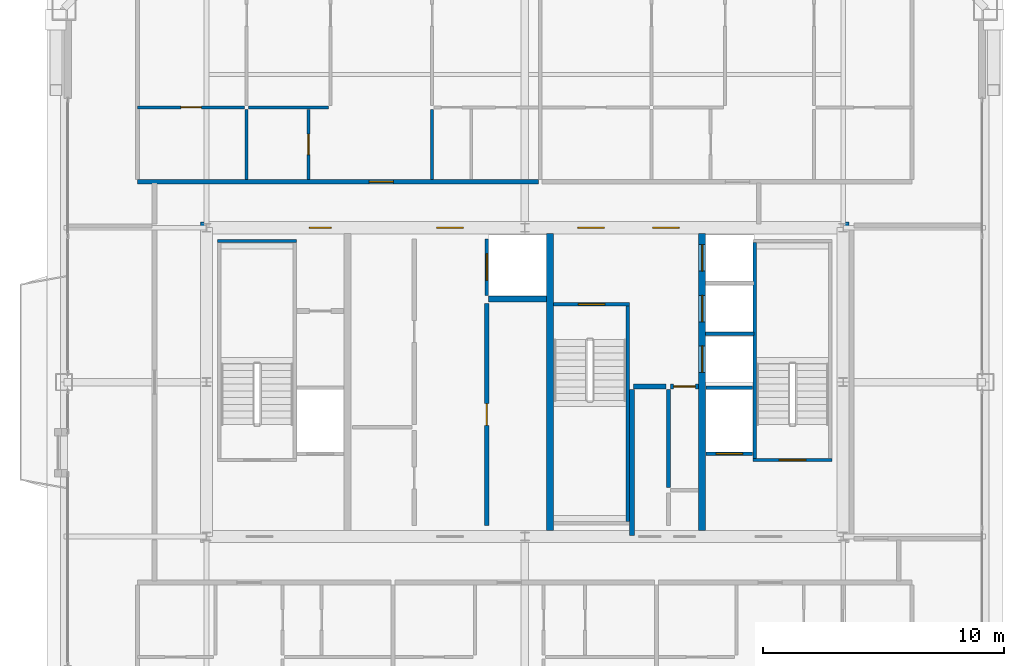
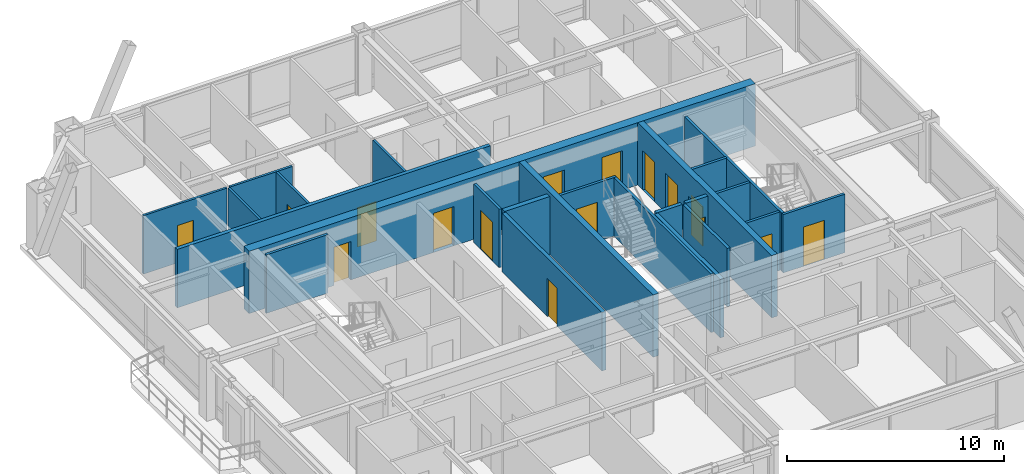
# One storey, part 30 of 33: 24 walls, 16 doors, 16 openings.
"""IFC4 building model written with IfcOpenShell, lengths in metres."""

from ifc_helpers import new_model, si_unit, direction, frame, frame_2d, origin, place, context, subcontext, project, spatial, rectangle, extrude, source, transform, mapped, material, layer, layer_set, type_object, element, fill, save


model = new_model("IFC4")

# Units and contexts
model_context = context("Model", 3, precision=1e-05, world=origin(), true_north=direction((0.0, 1.0)))
body_context = subcontext(model_context, "Body", "Model", "MODEL_VIEW")
ifc_project = project(units=[si_unit("LENGTHUNIT", "METRE"), si_unit("AREAUNIT", "SQUARE_METRE"), si_unit("VOLUMEUNIT", "CUBIC_METRE"), si_unit("PLANEANGLEUNIT", "RADIAN"), si_unit("MASSUNIT", "GRAM", prefix="KILO"), si_unit("THERMODYNAMICTEMPERATUREUNIT", "KELVIN"), si_unit("POWERUNIT", "WATT")], contexts=[model_context])

# Site, building, storey
site_placement = place(None, origin())
site = spatial("IfcSite", under=ifc_project, at=site_placement, CompositionType="ELEMENT")
building_placement = place(site_placement, origin())
building = spatial("IfcBuilding", under=site, at=building_placement, Name="Yuzanri Waterfront Tower", CompositionType="ELEMENT")
storey_placement = place(building_placement, frame((0.0, 0.0, 292.60009765625)))
storey = spatial("IfcBuildingStorey", under=building, at=storey_placement, Name="L78", CompositionType="ELEMENT", Elevation=292.60009765625)

# Wall, opening, door
ifc_material_1 = material(Name="Moisture-Resistant Gypsum Stud Wall", Category="gypsum")
ifc_layer_1 = layer(ifc_material_1, 0.1201171875)
ifc_layer_set_1 = layer_set([ifc_layer_1], Name="Moisture-Resistant Gypsum Stud Wall")
wall_type_1 = type_object("IfcWallType", Name="Bathroom and Kitchen Wet Partition 120", PredefinedType="PARTITIONING", material=ifc_layer_set_1)
wall_1_placement = place(storey_placement, frame((20.93994140625, 37.18994140625, 0.0), z_axis=(0.0, 0.0, 1.0), x_axis=(1.0, 0.0, 0.0)))
wall_1 = element("IfcWall", 1, at=wall_1_placement, inside=storey, type_object=wall_type_1, Name="L78 Partition UW-L78-HN1-SUB-1-N", PredefinedType="PARTITIONING", context=body_context, shape_type="SweptSolid", body=[
    extrude(rectangle(XDim=4.449951171875, YDim=0.1201171875, at=frame_2d((2.22509765625, 0.0))), origin(), (0.0, 0.0, 1.0), 3.27978515625),
])
opening_1_placement = place(wall_1_placement, frame((1.800048828125, 0.0, 0.0)))
opening_1 = element("IfcOpeningElement", 2, at=opening_1_placement, cuts=wall_1, Name="Opening ID-0850", PredefinedType="OPENING", context=body_context, shape_type="SweptSolid", body=[
    extrude(rectangle(XDim=0.85009765625, YDim=2.10009765625, at=frame_2d((0.425048828125, 1.050048828125))), frame((0.0, 0.074951171875, 0.0), z_axis=(0.0, -1.0, 0.0), x_axis=(1.0, 0.0, 0.0)), (0.0, 0.0, 1.0), 0.14990234375),
])
ifc_material_2 = material(Name="Moisture-Resistant Lacquered Timber", Category="wood")
door_type_1 = type_object("IfcDoorType", Name="En-Suite Bathroom and Kitchen Swing Door 850x2100", OperationType="NOTDEFINED", PredefinedType="DOOR", material=ifc_material_2)
shared_shape_1 = source(origin(), body_context, "Body", "SweptSolid", [
    extrude(rectangle(XDim=0.85009765625, YDim=2.10009765625, at=frame_2d((0.425048828125, 1.050048828125))), frame((0.0, 0.02490234375, 0.0), z_axis=(0.0, -1.0, 0.0), x_axis=(1.0, 0.0, 0.0)), (0.0, 0.0, 1.0), 0.050048828125),
])
door_1_placement = place(opening_1_placement, origin())
door_1 = element("IfcDoor", 3, at=door_1_placement, inside=storey, type_object=door_type_1, Name="L78 Suite Interior Room Door", OperationType="SINGLE_SWING_RIGHT", OverallHeight=2.10009765625, OverallWidth=0.85009765625, PredefinedType="DOOR", context=body_context, shape_type="MappedRepresentation", body=[
    mapped(shared_shape_1, transform((0.0, 0.0, 0.0), scale=1.0)),
])
fill(opening_1, door_1)

wall_2_placement = place(storey_placement, frame((28.030029296875, 34.2099609375, 0.0), z_axis=(0.0, 0.0, 1.0), x_axis=(0.0, 1.0, 0.0)))
wall_2 = element("IfcWall", 4, at=wall_2_placement, inside=storey, type_object=wall_type_1, Name="L78 Partition UW-L78-HN1-SUB-2-E", PredefinedType="PARTITIONING", context=body_context, shape_type="SweptSolid", body=[
    extrude(rectangle(XDim=2.900146484375, YDim=0.1201171875, at=frame_2d((1.4501953125, 0.0))), origin(), (0.0, 0.0, 1.0), 3.27978515625),
])
opening_2_placement = place(wall_2_placement, frame((1.02490234375, 0.0, 0.0)))
opening_2 = element("IfcOpeningElement", 5, at=opening_2_placement, cuts=wall_2, Name="Opening ID-0850", PredefinedType="OPENING", context=body_context, shape_type="SweptSolid", body=[
    extrude(rectangle(XDim=0.85009765625, YDim=2.10009765625, at=frame_2d((0.425048828125, 1.050048828125))), frame((0.0, 0.074951171875, 0.0), z_axis=(0.0, -1.0, 0.0), x_axis=(1.0, 0.0, 0.0)), (0.0, 0.0, 1.0), 0.14990234375),
])
door_2_placement = place(opening_2_placement, origin())
door_2 = element("IfcDoor", 6, at=door_2_placement, inside=storey, type_object=door_type_1, Name="L78 Suite Interior Room Door", OperationType="SINGLE_SWING_LEFT", OverallHeight=2.10009765625, OverallWidth=0.85009765625, PredefinedType="DOOR", context=body_context, shape_type="MappedRepresentation", body=[
    mapped(shared_shape_1, transform((0.0, 0.0, 0.0), scale=1.0)),
])
fill(opening_2, door_2)

# Wall, openings, doors
ifc_material_3 = material(Name="Concrete C45", Category="concrete")
ifc_layer_2 = layer(ifc_material_3, 0.47998046875)
ifc_layer_set_2 = layer_set([ifc_layer_2], Name="Concrete C45")
wall_type_2 = type_object("IfcWallType", Name="Concrete C45 High-Rise Core Shear Wall 480", PredefinedType="SHEAR", material=ifc_layer_set_2)
wall_3_placement = place(storey_placement, frame((23.56005859375, 32.199951171875, 0.0), z_axis=(0.0, 0.0, 1.0), x_axis=(1.0, 0.0, 0.0)))
wall_3 = element("IfcWall", 7, at=wall_3_placement, inside=storey, type_object=wall_type_2, Name="L78 Core North Shear Wall", PredefinedType="SHEAR", context=body_context, shape_type="SweptSolid", body=[
    extrude(rectangle(XDim=26.8798828125, YDim=0.47998046875, at=frame_2d((13.43994140625, 0.0))), origin(), (0.0, 0.0, 1.0), 3.5),
])
opening_3_placement = place(wall_3_placement, frame((4.510009765625, 0.0, 0.0)))
opening_3 = element("IfcOpeningElement", 8, at=opening_3_placement, cuts=wall_3, Name="Opening FD-0900", PredefinedType="OPENING", context=body_context, shape_type="SweptSolid", body=[
    extrude(rectangle(XDim=0.89990234375, YDim=2.14990234375, at=frame_2d((0.449951171875, 1.074951171875))), frame((0.0, 0.2548828125, 0.0), z_axis=(0.0, -1.0, 0.0), x_axis=(1.0, 0.0, 0.0)), (0.0, 0.0, 1.0), 0.509765625),
])
opening_4_placement = place(wall_3_placement, frame((9.7900390625, 0.0, 0.0)))
opening_4 = element("IfcOpeningElement", 9, at=opening_4_placement, cuts=wall_3, Name="Opening FD-1100", PredefinedType="OPENING", context=body_context, shape_type="SweptSolid", body=[
    extrude(rectangle(XDim=1.10009765625, YDim=2.199951171875, at=frame_2d((0.550048828125, 1.10009765625))), frame((0.0, 0.2548828125, 0.0), z_axis=(0.0, -1.0, 0.0), x_axis=(1.0, 0.0, 0.0)), (0.0, 0.0, 1.0), 0.509765625),
])
opening_5_placement = place(wall_3_placement, frame((15.639892578125, 0.0, 0.0)))
opening_5 = element("IfcOpeningElement", 10, at=opening_5_placement, cuts=wall_3, Name="Opening FD-1100", PredefinedType="OPENING", context=body_context, shape_type="SweptSolid", body=[
    extrude(rectangle(XDim=1.10009765625, YDim=2.199951171875, at=frame_2d((0.550048828125, 1.10009765625))), frame((0.0, 0.2548828125, 0.0), z_axis=(0.0, -1.0, 0.0), x_axis=(1.0, 0.0, 0.0)), (0.0, 0.0, 1.0), 0.509765625),
])
opening_6_placement = place(wall_3_placement, frame((18.739990234375, 0.0, 0.0)))
opening_6 = element("IfcOpeningElement", 11, at=opening_6_placement, cuts=wall_3, Name="Opening FD-1100", PredefinedType="OPENING", context=body_context, shape_type="SweptSolid", body=[
    extrude(rectangle(XDim=1.10009765625, YDim=2.199951171875, at=frame_2d((0.550048828125, 1.10009765625))), frame((0.0, 0.2548828125, 0.0), z_axis=(0.0, -1.0, 0.0), x_axis=(1.0, 0.0, 0.0)), (0.0, 0.0, 1.0), 0.509765625),
])
ifc_material_4 = material(Name="Painted Galvanized Fire Steel", Category="steel")
door_type_2 = type_object("IfcDoorType", Name="Smoke-Proof Stair and Lobby Fire Door 1100x2200", OperationType="NOTDEFINED", PredefinedType="DOOR", material=ifc_material_4)
shared_shape_2 = source(origin(), body_context, "Body", "SweptSolid", [
    extrude(rectangle(XDim=1.10009765625, YDim=2.199951171875, at=frame_2d((0.550048828125, 1.10009765625))), frame((0.0, 0.02490234375, 0.0), z_axis=(0.0, -1.0, 0.0), x_axis=(1.0, 0.0, 0.0)), (0.0, 0.0, 1.0), 0.050048828125),
])
door_3_placement = place(opening_4_placement, origin())
door_3 = element("IfcDoor", 12, at=door_3_placement, inside=storey, type_object=door_type_2, Name="L78 Central Lift Lobby North Door", OperationType="SINGLE_SWING_RIGHT", OverallHeight=2.199951171875, OverallWidth=1.10009765625, PredefinedType="DOOR", context=body_context, shape_type="MappedRepresentation", body=[
    mapped(shared_shape_2, transform((0.0, 0.0, 0.0), scale=1.0)),
])
fill(opening_4, door_3)
door_4_placement = place(opening_5_placement, origin())
door_4 = element("IfcDoor", 13, at=door_4_placement, inside=storey, type_object=door_type_2, Name="L78 North Stair Lobby Door", OperationType="SINGLE_SWING_LEFT", OverallHeight=2.199951171875, OverallWidth=1.10009765625, PredefinedType="DOOR", context=body_context, shape_type="MappedRepresentation", body=[
    mapped(shared_shape_2, transform((0.0, 0.0, 0.0), scale=1.0)),
])
fill(opening_5, door_4)
door_5_placement = place(opening_6_placement, origin())
door_5 = element("IfcDoor", 14, at=door_5_placement, inside=storey, type_object=door_type_2, Name="L78 High-Rise Lift Lobby North Door", OperationType="SINGLE_SWING_RIGHT", OverallHeight=2.199951171875, OverallWidth=1.10009765625, PredefinedType="DOOR", context=body_context, shape_type="MappedRepresentation", body=[
    mapped(shared_shape_2, transform((0.0, 0.0, 0.0), scale=1.0)),
])
fill(opening_6, door_5)
ifc_material_5 = material(Name="Painted Galvanized Fire Steel", Category="steel")
door_type_3 = type_object("IfcDoorType", Name="Riser and Service Room Fire Door 900x2150", OperationType="NOTDEFINED", PredefinedType="DOOR", material=ifc_material_5)
shared_shape_3 = source(origin(), body_context, "Body", "SweptSolid", [
    extrude(rectangle(XDim=0.89990234375, YDim=2.14990234375, at=frame_2d((0.449951171875, 1.074951171875))), frame((0.0, 0.02490234375, 0.0), z_axis=(0.0, -1.0, 0.0), x_axis=(1.0, 0.0, 0.0)), (0.0, 0.0, 1.0), 0.050048828125),
])
door_6_placement = place(opening_3_placement, origin())
door_6 = element("IfcDoor", 15, at=door_6_placement, inside=storey, type_object=door_type_3, Name="L78 Telecom Riser Door", OperationType="SINGLE_SWING_LEFT", OverallHeight=2.14990234375, OverallWidth=0.89990234375, PredefinedType="DOOR", context=body_context, shape_type="MappedRepresentation", body=[
    mapped(shared_shape_3, transform((0.0, 0.0, 0.0), scale=1.0)),
])
fill(opening_3, door_6)

ifc_material_6 = material(Name="Concrete C50", Category="concrete")
ifc_layer_3 = layer(ifc_material_6, 0.300048828125)
ifc_layer_set_3 = layer_set([ifc_layer_3], Name="Concrete C50")
wall_type_3 = type_object("IfcWallType", Name="Concrete C50 Internal Core Shaft Structural Wall 300", PredefinedType="SOLIDWALL", material=ifc_layer_set_3)
wall_4_placement = place(storey_placement, frame((44.35009765625, 19.639892578125, 0.0), z_axis=(0.0, 0.0, 1.0), x_axis=(0.0, 1.0, 0.0)))
wall_4 = element("IfcWall", 16, at=wall_4_placement, inside=storey, type_object=wall_type_3, Name="L78 Core Internal Structural Web Wall 3", PredefinedType="SOLIDWALL", context=body_context, shape_type="SweptSolid", body=[
    extrude(rectangle(XDim=12.320068359375, YDim=0.300048828125, at=frame_2d((6.16015625, 0.0))), origin(), (0.0, 0.0, 1.0), 3.5),
])
opening_7_placement = place(wall_4_placement, frame((6.56005859375, 0.0, 0.0)))
opening_7 = element("IfcOpeningElement", 17, at=opening_7_placement, cuts=wall_4, Name="Opening LD-PL-09", PredefinedType="OPENING", context=body_context, shape_type="SweptSolid", body=[
    extrude(rectangle(XDim=1.10009765625, YDim=2.199951171875, at=frame_2d((0.550048828125, 1.10009765625))), frame((0.0, 0.1650390625, 0.0), z_axis=(0.0, -1.0, 0.0), x_axis=(1.0, 0.0, 0.0)), (0.0, 0.0, 1.0), 0.329833984375),
])
opening_8_placement = place(wall_4_placement, frame((8.659912109375, 0.0, 0.0)))
opening_8 = element("IfcOpeningElement", 18, at=opening_8_placement, cuts=wall_4, Name="Opening LD-PL-10", PredefinedType="OPENING", context=body_context, shape_type="SweptSolid", body=[
    extrude(rectangle(XDim=1.10009765625, YDim=2.199951171875, at=frame_2d((0.550048828125, 1.10009765625))), frame((0.0, 0.1650390625, 0.0), z_axis=(0.0, -1.0, 0.0), x_axis=(1.0, 0.0, 0.0)), (0.0, 0.0, 1.0), 0.329833984375),
])
opening_9_placement = place(wall_4_placement, frame((10.760009765625, 0.0, 0.0)))
opening_9 = element("IfcOpeningElement", 19, at=opening_9_placement, cuts=wall_4, Name="Opening LD-PL-11", PredefinedType="OPENING", context=body_context, shape_type="SweptSolid", body=[
    extrude(rectangle(XDim=1.10009765625, YDim=2.199951171875, at=frame_2d((0.550048828125, 1.10009765625))), frame((0.0, 0.1650390625, 0.0), z_axis=(0.0, -1.0, 0.0), x_axis=(1.0, 0.0, 0.0)), (0.0, 0.0, 1.0), 0.329833984375),
])
ifc_material_7 = material(Name="Brushed Bronze and Stainless Steel Cab", Category="steel")
door_type_4 = type_object("IfcDoorType", Name="Center-Parting Bronze Lift Landing Sliding Door 1100x2200", OperationType="NOTDEFINED", PredefinedType="DOOR", material=ifc_material_7)
shared_shape_4 = source(origin(), body_context, "Body", "SweptSolid", [
    extrude(rectangle(XDim=1.10009765625, YDim=2.199951171875, at=frame_2d((0.550048828125, 1.10009765625))), frame((0.0, 0.02490234375, 0.0), z_axis=(0.0, -1.0, 0.0), x_axis=(1.0, 0.0, 0.0)), (0.0, 0.0, 1.0), 0.050048828125),
])
door_7_placement = place(opening_7_placement, origin())
door_7 = element("IfcDoor", 20, at=door_7_placement, inside=storey, type_object=door_type_4, Name="L78 PL-09 Lift Landing Sliding Door", OperationType="SLIDING_TO_LEFT", OverallHeight=2.199951171875, OverallWidth=1.10009765625, PredefinedType="DOOR", context=body_context, shape_type="MappedRepresentation", body=[
    mapped(shared_shape_4, transform((0.0, 0.0, 0.0), scale=1.0)),
])
fill(opening_7, door_7)
door_8_placement = place(opening_8_placement, origin())
door_8 = element("IfcDoor", 21, at=door_8_placement, inside=storey, type_object=door_type_4, Name="L78 PL-10 Lift Landing Sliding Door", OperationType="SLIDING_TO_RIGHT", OverallHeight=2.199951171875, OverallWidth=1.10009765625, PredefinedType="DOOR", context=body_context, shape_type="MappedRepresentation", body=[
    mapped(shared_shape_4, transform((0.0, 0.0, 0.0), scale=1.0)),
])
fill(opening_8, door_8)
door_9_placement = place(opening_9_placement, origin())
door_9 = element("IfcDoor", 22, at=door_9_placement, inside=storey, type_object=door_type_4, Name="L78 PL-11 Lift Landing Sliding Door", OperationType="SLIDING_TO_LEFT", OverallHeight=2.199951171875, OverallWidth=1.10009765625, PredefinedType="DOOR", context=body_context, shape_type="MappedRepresentation", body=[
    mapped(shared_shape_4, transform((0.0, 0.0, 0.0), scale=1.0)),
])
fill(opening_9, door_9)

# Wall, opening, door
ifc_material_8 = material(Name="Concrete C40", Category="concrete")
ifc_layer_4 = layer(ifc_material_8, 0.139892578125)
ifc_layer_set_4 = layer_set([ifc_layer_4], Name="Concrete C40")
wall_type_4 = type_object("IfcWallType", Name="Core Stair Liner and Hoistway Shaft Wall 140", PredefinedType="SOLIDWALL", material=ifc_layer_set_4)
wall_5_placement = place(storey_placement, frame((44.52001953125, 22.830078125, 0.0), z_axis=(0.0, 0.0, 1.0), x_axis=(1.0, 0.0, 0.0)))
wall_5 = element("IfcWall", 23, at=wall_5_placement, inside=storey, type_object=wall_type_4, Name="L78 Lift FL-02 Front Shaft Wall", PredefinedType="SOLIDWALL", context=body_context, shape_type="SweptSolid", body=[
    extrude(rectangle(XDim=1.919921875, YDim=0.139892578125, at=frame_2d((0.9599609375, 0.0))), origin(), (0.0, 0.0, 1.0), 3.27978515625),
])
opening_10_placement = place(wall_5_placement, frame((0.409912109375, 0.0, 0.0)))
opening_10 = element("IfcOpeningElement", 24, at=opening_10_placement, cuts=wall_5, Name="Opening LD-FL-02", PredefinedType="OPENING", context=body_context, shape_type="SweptSolid", body=[
    extrude(rectangle(XDim=1.10009765625, YDim=2.199951171875, at=frame_2d((0.550048828125, 1.10009765625))), frame((0.0, 0.0849609375, 0.0), z_axis=(0.0, -1.0, 0.0), x_axis=(1.0, 0.0, 0.0)), (0.0, 0.0, 1.0), 0.169677734375),
])
door_10_placement = place(opening_10_placement, origin())
door_10 = element("IfcDoor", 25, at=door_10_placement, inside=storey, type_object=door_type_4, Name="L78 FL-02 Lift Landing Sliding Door", OperationType="SLIDING_TO_RIGHT", OverallHeight=2.199951171875, OverallWidth=1.10009765625, PredefinedType="DOOR", context=body_context, shape_type="MappedRepresentation", body=[
    mapped(shared_shape_4, transform((0.0, 0.0, 0.0), scale=1.0)),
])
fill(opening_10, door_10)

wall_6_placement = place(storey_placement, frame((35.429931640625, 29.39990234375, 0.0), z_axis=(0.0, 0.0, 1.0), x_axis=(0.0, 1.0, 0.0)))
wall_6 = element("IfcWall", 26, at=wall_6_placement, inside=storey, type_object=wall_type_4, Name="L78 Lift SL-02 Front Shaft Wall", PredefinedType="SOLIDWALL", context=body_context, shape_type="SweptSolid", body=[
    extrude(rectangle(XDim=2.340087890625, YDim=0.139892578125, at=frame_2d((1.169921875, 0.0))), origin(), (0.0, 0.0, 1.0), 3.27978515625),
])
opening_11_placement = place(wall_6_placement, frame((0.6201171875, 0.0, 0.0)))
opening_11 = element("IfcOpeningElement", 27, at=opening_11_placement, cuts=wall_6, Name="Opening LD-SL-02", PredefinedType="OPENING", context=body_context, shape_type="SweptSolid", body=[
    extrude(rectangle(XDim=1.10009765625, YDim=2.199951171875, at=frame_2d((0.550048828125, 1.10009765625))), frame((0.0, 0.0849609375, 0.0), z_axis=(0.0, -1.0, 0.0), x_axis=(1.0, 0.0, 0.0)), (0.0, 0.0, 1.0), 0.169677734375),
])
door_11_placement = place(opening_11_placement, origin())
door_11 = element("IfcDoor", 28, at=door_11_placement, inside=storey, type_object=door_type_4, Name="L78 SL-02 Lift Landing Sliding Door", OperationType="SLIDING_TO_RIGHT", OverallHeight=2.199951171875, OverallWidth=1.10009765625, PredefinedType="DOOR", context=body_context, shape_type="MappedRepresentation", body=[
    mapped(shared_shape_4, transform((0.0, 0.0, 0.0), scale=1.0)),
])
fill(opening_11, door_11)

wall_7_placement = place(storey_placement, frame((46.4599609375, 22.570068359375, 0.0), z_axis=(0.0, 0.0, 1.0), x_axis=(1.0, 0.0, 0.0)))
wall_7 = element("IfcWall", 29, at=wall_7_placement, inside=storey, type_object=wall_type_4, Name="L78 Shaft Wall STW-L78-ST-02-S", PredefinedType="SOLIDWALL", context=body_context, shape_type="SweptSolid", body=[
    extrude(rectangle(XDim=3.280029296875, YDim=0.139892578125, at=frame_2d((1.64013671875, 0.0))), origin(), (0.0, 0.0, 1.0), 3.27978515625),
])
opening_12_placement = place(wall_7_placement, frame((1.090087890625, 0.0, 0.0)))
opening_12 = element("IfcOpeningElement", 30, at=opening_12_placement, cuts=wall_7, Name="Opening FD-1100", PredefinedType="OPENING", context=body_context, shape_type="SweptSolid", body=[
    extrude(rectangle(XDim=1.10009765625, YDim=2.199951171875, at=frame_2d((0.550048828125, 1.10009765625))), frame((0.0, 0.0849609375, 0.0), z_axis=(0.0, -1.0, 0.0), x_axis=(1.0, 0.0, 0.0)), (0.0, 0.0, 1.0), 0.169677734375),
])
door_12_placement = place(opening_12_placement, origin())
door_12 = element("IfcDoor", 31, at=door_12_placement, inside=storey, type_object=door_type_2, Name="L78 Stair ST-02 Fire Door", OperationType="SINGLE_SWING_RIGHT", OverallHeight=2.199951171875, OverallWidth=1.10009765625, PredefinedType="DOOR", context=body_context, shape_type="MappedRepresentation", body=[
    mapped(shared_shape_2, transform((0.0, 0.0, 0.0), scale=1.0)),
])
fill(opening_12, door_12)

wall_8_placement = place(storey_placement, frame((38.199951171875, 29.030029296875, 0.0), z_axis=(0.0, 0.0, 1.0), x_axis=(1.0, 0.0, 0.0)))
wall_8 = element("IfcWall", 32, at=wall_8_placement, inside=storey, type_object=wall_type_4, Name="L78 Shaft Wall STW-L78-ST-03-N", PredefinedType="SOLIDWALL", context=body_context, shape_type="SweptSolid", body=[
    extrude(rectangle(XDim=3.14013671875, YDim=0.139892578125, at=frame_2d((1.570068359375, 0.0))), origin(), (0.0, 0.0, 1.0), 3.27978515625),
])
opening_13_placement = place(wall_8_placement, frame((1.02001953125, 0.0, 0.0)))
opening_13 = element("IfcOpeningElement", 33, at=opening_13_placement, cuts=wall_8, Name="Opening FD-1100", PredefinedType="OPENING", context=body_context, shape_type="SweptSolid", body=[
    extrude(rectangle(XDim=1.10009765625, YDim=2.199951171875, at=frame_2d((0.550048828125, 1.10009765625))), frame((0.0, 0.0849609375, 0.0), z_axis=(0.0, -1.0, 0.0), x_axis=(1.0, 0.0, 0.0)), (0.0, 0.0, 1.0), 0.169677734375),
])
door_13_placement = place(opening_13_placement, origin())
door_13 = element("IfcDoor", 34, at=door_13_placement, inside=storey, type_object=door_type_2, Name="L78 Stair ST-03 Fire Door", OperationType="SINGLE_SWING_LEFT", OverallHeight=2.199951171875, OverallWidth=1.10009765625, PredefinedType="DOOR", context=body_context, shape_type="MappedRepresentation", body=[
    mapped(shared_shape_2, transform((0.0, 0.0, 0.0), scale=1.0)),
])
fill(opening_13, door_13)

ifc_material_9 = material(Name="Autoclaved Aerated Concrete Blockwork", Category="masonry")
ifc_layer_5 = layer(ifc_material_9, 0.199951171875)
ifc_layer_set_5 = layer_set([ifc_layer_5], Name="Autoclaved Aerated Concrete Blockwork")
wall_type_5 = type_object("IfcWallType", Name="Corridor and Unit Party Fire Wall 200", PredefinedType="PARTITIONING", material=ifc_layer_set_5)
wall_9_placement = place(storey_placement, frame((35.419921875, 19.860107421875, 0.0), z_axis=(0.0, 0.0, 1.0), x_axis=(0.0, 1.0, 0.0)))
wall_9 = element("IfcWall", 35, at=wall_9_placement, inside=storey, type_object=wall_type_5, Name="L78 Partition CRW-L78-B2R-1", PredefinedType="PARTITIONING", context=body_context, shape_type="SweptSolid", body=[
    extrude(rectangle(XDim=9.18994140625, YDim=0.199951171875, at=frame_2d((4.594970703125, 0.0))), origin(), (0.0, 0.0, 1.0), 3.27978515625),
])
opening_14_placement = place(wall_9_placement, frame((4.14501953125, 0.0, 0.0)))
opening_14 = element("IfcOpeningElement", 36, at=opening_14_placement, cuts=wall_9, Name="Opening FD-0900", PredefinedType="OPENING", context=body_context, shape_type="SweptSolid", body=[
    extrude(rectangle(XDim=0.89990234375, YDim=2.14990234375, at=frame_2d((0.449951171875, 1.074951171875))), frame((0.0, 0.11474609375, 0.0), z_axis=(0.0, -1.0, 0.0), x_axis=(1.0, 0.0, 0.0)), (0.0, 0.0, 1.0), 0.229736328125),
])
door_14_placement = place(opening_14_placement, origin())
door_14 = element("IfcDoor", 37, at=door_14_placement, inside=storey, type_object=door_type_3, Name="L78 Upper General Store Room", OperationType="SINGLE_SWING_RIGHT", OverallHeight=2.14990234375, OverallWidth=0.89990234375, PredefinedType="DOOR", context=body_context, shape_type="MappedRepresentation", body=[
    mapped(shared_shape_3, transform((0.0, 0.0, 0.0), scale=1.0)),
])
fill(opening_14, door_14)

wall_10_placement = place(storey_placement, frame((43.050048828125, 25.6201171875, 0.0), z_axis=(0.0, 0.0, 1.0), x_axis=(1.0, 0.0, 0.0)))
wall_10 = element("IfcWall", 38, at=wall_10_placement, inside=storey, type_object=wall_type_5, Name="L78 Partition CRW-L78-BOHH-2", PredefinedType="PARTITIONING", context=body_context, shape_type="SweptSolid", body=[
    extrude(rectangle(XDim=1.14990234375, YDim=0.199951171875, at=frame_2d((0.574951171875, 0.0))), origin(), (0.0, 0.0, 1.0), 3.27978515625),
])
opening_15_placement = place(wall_10_placement, frame((0.1201171875, 0.0, 0.0)))
opening_15 = element("IfcOpeningElement", 39, at=opening_15_placement, cuts=wall_10, Name="Opening FD-0900", PredefinedType="OPENING", context=body_context, shape_type="SweptSolid", body=[
    extrude(rectangle(XDim=0.89990234375, YDim=2.14990234375, at=frame_2d((0.449951171875, 1.074951171875))), frame((0.0, 0.11474609375, 0.0), z_axis=(0.0, -1.0, 0.0), x_axis=(1.0, 0.0, 0.0)), (0.0, 0.0, 1.0), 0.229736328125),
])
door_15_placement = place(opening_15_placement, origin())
door_15 = element("IfcDoor", 40, at=door_15_placement, inside=storey, type_object=door_type_3, Name="L78 Linen Store Room", OperationType="SINGLE_SWING_LEFT", OverallHeight=2.14990234375, OverallWidth=0.89990234375, PredefinedType="DOOR", context=body_context, shape_type="MappedRepresentation", body=[
    mapped(shared_shape_3, transform((0.0, 0.0, 0.0), scale=1.0)),
])
fill(opening_15, door_15)

wall_11_placement = place(storey_placement, frame((20.93994140625, 34.110107421875, 0.0), z_axis=(0.0, 0.0, 1.0), x_axis=(1.0, 0.0, 0.0)))
wall_11 = element("IfcWall", 41, at=wall_11_placement, inside=storey, type_object=wall_type_5, Name="L78 Partition UW-L78-HN1-CS", PredefinedType="PARTITIONING", context=body_context, shape_type="SweptSolid", body=[
    extrude(rectangle(XDim=16.6220703125, YDim=0.199951171875, at=frame_2d((8.31103515625, 0.0))), origin(), (0.0, 0.0, 1.0), 3.27978515625),
])
opening_16_placement = place(wall_11_placement, frame((9.611083984375, 0.0, 0.0)))
opening_16 = element("IfcOpeningElement", 42, at=opening_16_placement, cuts=wall_11, Name="Opening FD-1000", PredefinedType="OPENING", context=body_context, shape_type="SweptSolid", body=[
    extrude(rectangle(XDim=1.0, YDim=2.199951171875, at=frame_2d((0.5, 1.10009765625))), frame((0.0, 0.11474609375, 0.0), z_axis=(0.0, -1.0, 0.0), x_axis=(1.0, 0.0, 0.0)), (0.0, 0.0, 1.0), 0.229736328125),
])
ifc_material_10 = material(Name="Engineered Oak Fire-Rated Timber", Category="wood")
door_type_5 = type_object("IfcDoorType", Name="Guestroom and Apartment Entrance Fire Door 1000x2200", OperationType="NOTDEFINED", PredefinedType="DOOR", material=ifc_material_10)
shared_shape_5 = source(origin(), body_context, "Body", "SweptSolid", [
    extrude(rectangle(XDim=1.0, YDim=2.199951171875, at=frame_2d((0.5, 1.10009765625))), frame((0.0, 0.02490234375, 0.0), z_axis=(0.0, -1.0, 0.0), x_axis=(1.0, 0.0, 0.0)), (0.0, 0.0, 1.0), 0.050048828125),
])
door_16_placement = place(opening_16_placement, origin())
door_16 = element("IfcDoor", 43, at=door_16_placement, inside=storey, type_object=door_type_5, Name="L78 Apartment Living and Dining Salon Entrance Door", OperationType="SINGLE_SWING_LEFT", OverallHeight=2.199951171875, OverallWidth=1.0, PredefinedType="DOOR", context=body_context, shape_type="MappedRepresentation", body=[
    mapped(shared_shape_5, transform((0.0, 0.0, 0.0), scale=1.0)),
])
fill(opening_16, door_16)

# Walls
shared_shape_6 = source(origin(), body_context, "Body", "SweptSolid", [
    extrude(rectangle(XDim=12.320068359375, YDim=0.300048828125, at=frame_2d((6.16015625, 0.0))), origin(), (0.0, 0.0, 1.0), 3.5),
])
wall_12_placement = place(storey_placement, frame((38.050048828125, 19.639892578125, 0.0), z_axis=(0.0, 0.0, 1.0), x_axis=(0.0, 1.0, 0.0)))
element("IfcWall", 44, at=wall_12_placement, inside=storey, type_object=wall_type_3, Name="L78 Core Internal Structural Web Wall 2", PredefinedType="SOLIDWALL", context=body_context, shape_type="MappedRepresentation", body=[
    mapped(shared_shape_6, transform((0.0, 0.0, 0.0), scale=1.0)),
])
shared_shape_7 = source(origin(), body_context, "Body", "SweptSolid", [
    extrude(rectangle(XDim=1.919921875, YDim=0.139892578125, at=frame_2d((0.9599609375, 0.0))), origin(), (0.0, 0.0, 1.0), 3.27978515625),
])
wall_13_placement = place(storey_placement, frame((44.52001953125, 25.570068359375, 0.0), z_axis=(0.0, 0.0, 1.0), x_axis=(1.0, 0.0, 0.0)))
element("IfcWall", 45, at=wall_13_placement, inside=storey, type_object=wall_type_4, Name="L78 Lift FL-02 Back Shaft Wall", PredefinedType="SOLIDWALL", context=body_context, shape_type="MappedRepresentation", body=[
    mapped(shared_shape_7, transform((0.0, 0.0, 0.0), scale=1.0)),
])
ifc_material_11 = material(Name="Concrete C40", Category="concrete")
ifc_layer_6 = layer(ifc_material_11, 0.25)
ifc_layer_set_6 = layer_set([ifc_layer_6], Name="Concrete C40")
wall_type_6 = type_object("IfcWallType", Name="Smoke-Proof Stair and Lift Shaft Wall 250", PredefinedType="SOLIDWALL", material=ifc_layer_set_6)
shared_shape_8 = source(origin(), body_context, "Body", "SweptSolid", [
    extrude(rectangle(XDim=2.39990234375, YDim=0.25, at=frame_2d((1.199951171875, 0.0))), origin(), (0.0, 0.0, 1.0), 3.27978515625),
])
wall_14_placement = place(storey_placement, frame((35.5, 29.25, 0.0), z_axis=(0.0, 0.0, 1.0), x_axis=(1.0, 0.0, 0.0)))
element("IfcWall", 46, at=wall_14_placement, inside=storey, type_object=wall_type_6, Name="L78 Lift SL-02 South Shaft Wall", PredefinedType="SOLIDWALL", context=body_context, shape_type="MappedRepresentation", body=[
    mapped(shared_shape_8, transform((0.0, 0.0, 0.0), scale=1.0)),
])
shared_shape_9 = source(origin(), body_context, "Body", "SweptSolid", [
    extrude(rectangle(XDim=2.0, YDim=0.139892578125, at=frame_2d((1.0, 0.0))), origin(), (0.0, 0.0, 1.0), 3.27978515625),
])
wall_15_placement = place(storey_placement, frame((44.5, 27.800048828125, 0.0), z_axis=(0.0, 0.0, 1.0), x_axis=(1.0, 0.0, 0.0)))
element("IfcWall", 47, at=wall_15_placement, inside=storey, type_object=wall_type_4, Name="L78 Lift PL-09 Divider Wall", PredefinedType="SOLIDWALL", context=body_context, shape_type="MappedRepresentation", body=[
    mapped(shared_shape_9, transform((0.0, 0.0, 0.0), scale=1.0)),
])
shared_shape_10 = source(origin(), body_context, "Body", "SweptSolid", [
    extrude(rectangle(XDim=3.280029296875, YDim=0.139892578125, at=frame_2d((1.64013671875, 0.0))), origin(), (0.0, 0.0, 1.0), 3.27978515625),
])
wall_16_placement = place(storey_placement, frame((24.260009765625, 31.64990234375, 0.0), z_axis=(0.0, 0.0, 1.0), x_axis=(1.0, 0.0, 0.0)))
element("IfcWall", 48, at=wall_16_placement, inside=storey, type_object=wall_type_4, Name="L78 Stair ST-01 North Shaft Wall", PredefinedType="SOLIDWALL", context=body_context, shape_type="MappedRepresentation", body=[
    mapped(shared_shape_10, transform((0.0, 0.0, 0.0), scale=1.0)),
])
shared_shape_11 = source(origin(), body_context, "Body", "SweptSolid", [
    extrude(rectangle(XDim=8.940185546875, YDim=0.139892578125, at=frame_2d((4.47021484375, 0.0))), origin(), (0.0, 0.0, 1.0), 3.27978515625),
])
wall_17_placement = place(storey_placement, frame((46.530029296875, 22.639892578125, 0.0), z_axis=(0.0, 0.0, 1.0), x_axis=(0.0, 1.0, 0.0)))
element("IfcWall", 49, at=wall_17_placement, inside=storey, type_object=wall_type_4, Name="L78 Stair ST-02 West Shaft Wall", PredefinedType="SOLIDWALL", context=body_context, shape_type="MappedRepresentation", body=[
    mapped(shared_shape_11, transform((0.0, 0.0, 0.0), scale=1.0)),
])
shared_shape_12 = source(origin(), body_context, "Body", "SweptSolid", [
    extrude(rectangle(XDim=8.93994140625, YDim=0.139892578125, at=frame_2d((4.469970703125, 0.0))), origin(), (0.0, 0.0, 1.0), 3.27978515625),
])
wall_18_placement = place(storey_placement, frame((41.27001953125, 20.02001953125, 0.0), z_axis=(0.0, 0.0, 1.0), x_axis=(0.0, 1.0, 0.0)))
element("IfcWall", 50, at=wall_18_placement, inside=storey, type_object=wall_type_4, Name="L78 Stair ST-03 East Shaft Wall", PredefinedType="SOLIDWALL", context=body_context, shape_type="MappedRepresentation", body=[
    mapped(shared_shape_12, transform((0.0, 0.0, 0.0), scale=1.0)),
])
shared_shape_13 = source(origin(), body_context, "Body", "SweptSolid", [
    extrude(rectangle(XDim=6.06005859375, YDim=0.199951171875, at=frame_2d((3.030029296875, 0.0))), origin(), (0.0, 0.0, 1.0), 3.27978515625),
])
wall_19_placement = place(storey_placement, frame((41.449951171875, 19.43994140625, 0.0), z_axis=(0.0, 0.0, 1.0), x_axis=(0.0, 1.0, 0.0)))
element("IfcWall", 51, at=wall_19_placement, inside=storey, type_object=wall_type_5, Name="L78 Core BOH West Wall 1", PredefinedType="PARTITIONING", context=body_context, shape_type="MappedRepresentation", body=[
    mapped(shared_shape_13, transform((0.0, 0.0, 0.0), scale=1.0)),
])
shared_shape_14 = source(origin(), body_context, "Body", "SweptSolid", [
    extrude(rectangle(XDim=1.35009765625, YDim=0.199951171875, at=frame_2d((0.675048828125, 0.0))), origin(), (0.0, 0.0, 1.0), 3.27978515625),
])
wall_20_placement = place(storey_placement, frame((41.5, 25.6201171875, 0.0), z_axis=(0.0, 0.0, 1.0), x_axis=(1.0, 0.0, 0.0)))
element("IfcWall", 52, at=wall_20_placement, inside=storey, type_object=wall_type_5, Name="L78 Core BOH Split Wall 1", PredefinedType="PARTITIONING", context=body_context, shape_type="MappedRepresentation", body=[
    mapped(shared_shape_14, transform((0.0, 0.0, 0.0), scale=1.0)),
])
ifc_material_12 = material(Name="Gypsum Fireboard Acoustic Stud Wall", Category="gypsum")
ifc_layer_7 = layer(ifc_material_12, 0.159912109375)
ifc_layer_set_7 = layer_set([ifc_layer_7], Name="Gypsum Fireboard Acoustic Stud Wall")
wall_type_7 = type_object("IfcWallType", Name="Acoustic Suite Demising Partition 160", PredefinedType="PARTITIONING", material=ifc_layer_set_7)
shared_shape_15 = source(origin(), body_context, "Body", "SweptSolid", [
    extrude(rectangle(XDim=4.06005859375, YDim=0.159912109375, at=frame_2d((2.030029296875, 0.0))), origin(), (0.0, 0.0, 1.0), 3.27978515625),
])
wall_21_placement = place(storey_placement, frame((42.949951171875, 21.43994140625, 0.0), z_axis=(0.0, 0.0, 1.0), x_axis=(0.0, 1.0, 0.0)))
element("IfcWall", 53, at=wall_21_placement, inside=storey, type_object=wall_type_7, Name="L78 Core BOH Mid Wall 2", PredefinedType="PARTITIONING", context=body_context, shape_type="MappedRepresentation", body=[
    mapped(shared_shape_15, transform((0.0, 0.0, 0.0), scale=1.0)),
])
shared_shape_16 = source(origin(), body_context, "Body", "SweptSolid", [
    extrude(rectangle(XDim=2.900146484375, YDim=0.1201171875, at=frame_2d((1.4501953125, 0.0))), origin(), (0.0, 0.0, 1.0), 3.27978515625),
])
for number, where, z_axis, x_axis, name in (
    (54, (25.469970703125, 34.2099609375, 0.0), (0.0, 0.0, 1.0), (0.0, 1.0, 0.0), "L78 Partition UW-L78-HN1-SUB-1-E"),
    (55, (33.159912109375, 34.2099609375, 0.0), (0.0, 0.0, 1.0), (0.0, 1.0, 0.0), "L78 Partition UW-L78-HN1-SUB-4-W"),
):
    element("IfcWall", number, at=place(storey_placement, frame(where, z_axis=z_axis, x_axis=x_axis)), inside=storey, type_object=wall_type_1, Name=name, PredefinedType="PARTITIONING", context=body_context, shape_type="MappedRepresentation", body=[
        mapped(shared_shape_16, transform((0.0, 0.0, 0.0), scale=1.0)),
    ])
shared_shape_17 = source(origin(), body_context, "Body", "SweptSolid", [
    extrude(rectangle(XDim=3.31298828125, YDim=0.1201171875, at=frame_2d((1.656494140625, 0.0))), origin(), (0.0, 0.0, 1.0), 3.27978515625),
])
wall_22_placement = place(storey_placement, frame((25.550048828125, 37.18994140625, 0.0), z_axis=(0.0, 0.0, 1.0), x_axis=(1.0, 0.0, 0.0)))
element("IfcWall", 56, at=wall_22_placement, inside=storey, type_object=wall_type_1, Name="L78 Partition UW-L78-HN1-SUB-7-S", PredefinedType="PARTITIONING", context=body_context, shape_type="MappedRepresentation", body=[
    mapped(shared_shape_17, transform((0.0, 0.0, 0.0), scale=1.0)),
])

save(model, "model.ifc")
